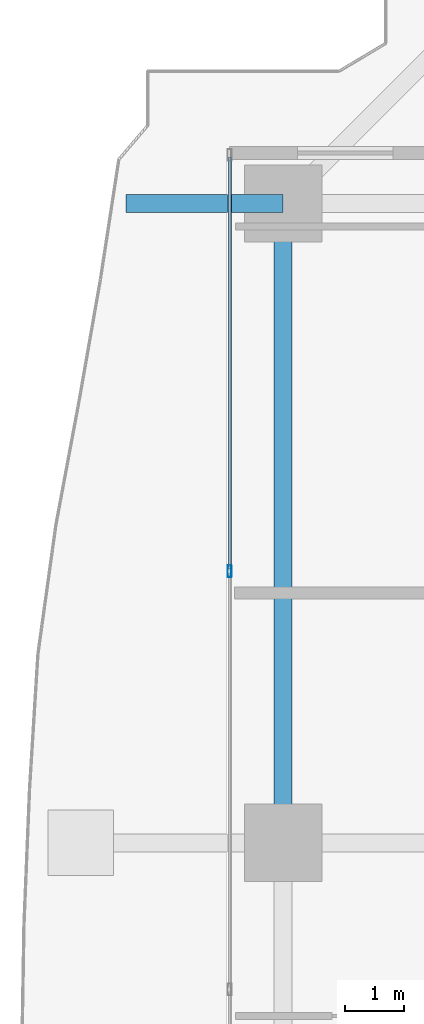
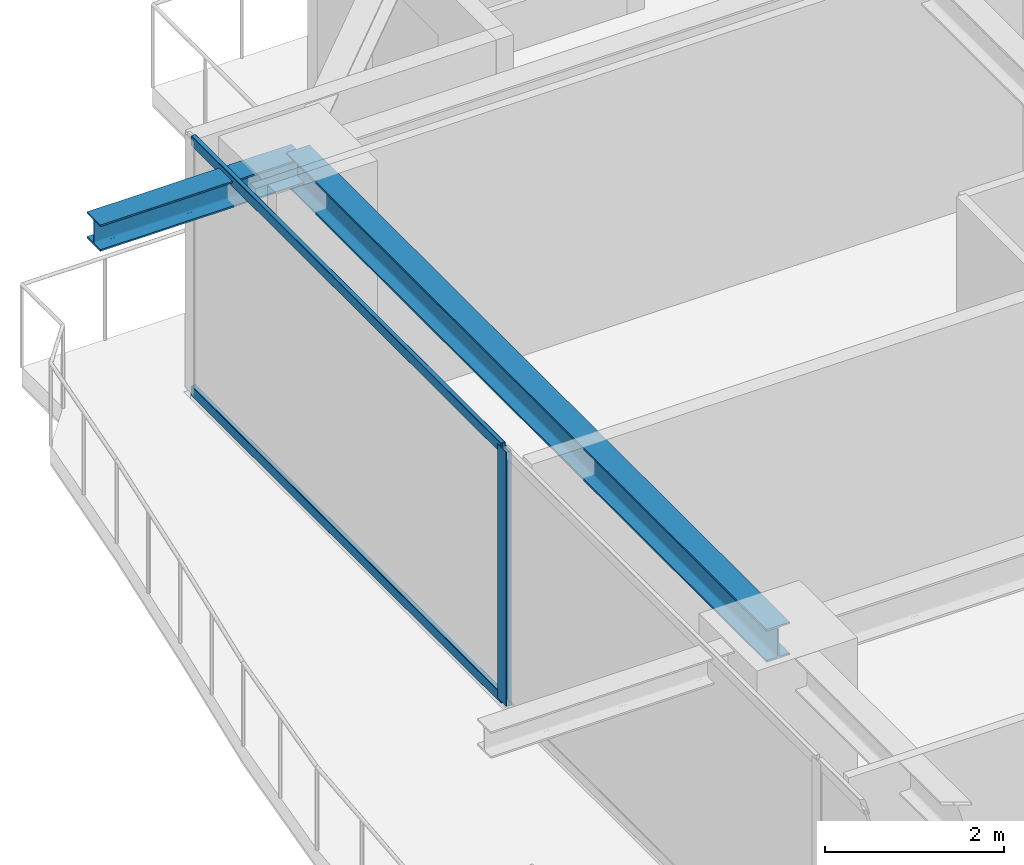
# One storey, part 17 of 38: 3 members, 2 beams, 1 element without a shape of its own.
"""IFC4 building model written with IfcOpenShell, lengths in metres."""

import ifcopenshell
import ifcopenshell.guid

model = None  # the IFC model being written
_history = None  # IfcOwnerHistory: only IFC2X3 demands one
_inside = {}  # id of a spatial element -> (the spatial element, [elements in it])
_under = {}  # id of a project, library or spatial element -> (it, [spatial elements below it])
_declared = {}  # id of a project -> (the project, [libraries it declares])
_typed = {}  # id of a type object -> (the type object, [elements of that type])
_made_of = {}  # id of a material, layer set ... -> (it, [elements and type objects made of it])


def new_model(schema):
    """Start an empty IFC model of exactly this schema.

    Asked for "IFC4X3", IfcOpenShell would pick the latest addendum, in which some entities
    have other attributes; the version numbers below select the first issue.
    IFC2X3 requires an IfcOwnerHistory on every rooted entity: one is made here for all.
    """
    global model, _history
    if schema == "IFC4X3":
        model = ifcopenshell.file(schema_version=(4, 3, 0, 0))
    else:
        model = ifcopenshell.file(schema=schema)
    _inside.clear()
    _under.clear()
    _declared.clear()
    _typed.clear()
    _made_of.clear()
    _history = None
    if model.schema == "IFC2X3":
        org = make("IfcOrganization", Name="unknown")
        user = make(
            "IfcPersonAndOrganization",
            ThePerson=make("IfcPerson", FamilyName="unknown"),
            TheOrganization=org,
        )
        app = make(
            "IfcApplication",
            ApplicationDeveloper=org,
            Version="unknown",
            ApplicationFullName="unknown",
            ApplicationIdentifier="unknown",
        )
        _history = make(
            "IfcOwnerHistory",
            OwningUser=user,
            OwningApplication=app,
            ChangeAction="ADDED",
            CreationDate=0,
        )
    return model


def make(cls, **values):
    """One entity of the class cls with the attributes given. An attribute that is None is left unset."""
    return model.create_entity(
        cls, **{name: value for name, value in values.items() if value is not None}
    )


def rooted(cls, **values):
    """An entity with a GlobalId (a new one), such as an element, a storey or a relation."""
    return make(cls, GlobalId=ifcopenshell.guid.new(), OwnerHistory=_history, **values)


def si_unit(unit_type, name, prefix=None):
    """IfcSIUnit, for example si_unit("LENGTHUNIT", "METRE", prefix="MILLI")."""
    return make("IfcSIUnit", UnitType=unit_type, Prefix=prefix, Name=name)


def assignment(units):
    """IfcUnitAssignment: the units of a project."""
    return None if units is None else make("IfcUnitAssignment", Units=units)


def point(xyz):
    """IfcCartesianPoint."""
    return None if xyz is None else make("IfcCartesianPoint", Coordinates=xyz)


def direction(xyz):
    """IfcDirection."""
    return None if xyz is None else make("IfcDirection", DirectionRatios=xyz)


def frame(location, z_axis=None, x_axis=None):
    """IfcAxis2Placement3D, a coordinate frame: its origin and axes. An axis left out is left unset."""
    return make(
        "IfcAxis2Placement3D",
        Location=point(location),
        Axis=direction(z_axis),
        RefDirection=direction(x_axis),
    )


def frame_2d(location, x_axis=None):
    """IfcAxis2Placement2D, a coordinate frame in the plane: its origin and x axis."""
    return make(
        "IfcAxis2Placement2D", Location=point(location), RefDirection=direction(x_axis)
    )


def origin():
    """The frame at (0, 0, 0) with its axes left unset."""
    return frame((0.0, 0.0, 0.0))


def origin_2d():
    """The frame at (0, 0) in the plane with its x axis left unset."""
    return frame_2d((0.0, 0.0))


def place(relative_to, where):
    """IfcLocalPlacement: puts the frame where relative to a parent placement (None: the world)."""
    return make(
        "IfcLocalPlacement", PlacementRelTo=relative_to, RelativePlacement=where
    )


def context(
    kind, dimensions, precision=None, world=None, true_north=None, identifier=None
):
    """IfcGeometricRepresentationContext, for example the 3D "Model" context."""
    return make(
        "IfcGeometricRepresentationContext",
        ContextIdentifier=identifier,
        ContextType=kind,
        CoordinateSpaceDimension=dimensions,
        Precision=precision,
        WorldCoordinateSystem=world,
        TrueNorth=true_north,
    )


def subcontext(parent, identifier, kind, view, scale=None):
    """IfcGeometricRepresentationSubContext, for example "Body" below "Model"."""
    return make(
        "IfcGeometricRepresentationSubContext",
        ContextIdentifier=identifier,
        ContextType=kind,
        ParentContext=parent,
        TargetScale=scale,
        TargetView=view,
    )


def project(units=None, contexts=None):
    """IfcProject with its units and contexts."""
    return rooted(
        "IfcProject",
        Name="project",
        RepresentationContexts=contexts,
        UnitsInContext=assignment(units),
    )


def spatial(cls, under=None, at=None, **own):
    """A site, building, storey or space (cls), placed at a placement, below another one or the project."""
    s = rooted(cls, ObjectPlacement=at, **own)
    if under is not None:
        _under.setdefault(under.id(), (under, []))[1].append(s)
    return s


def profile(cls, at=None, kind="AREA", **sizes):
    """A parametric profile (cls). Its sizes go by their IFC names, for example OverallWidth=200.0."""
    return make(cls, ProfileType=kind, Position=at, **sizes)


def hollow_rectangle(**sizes):
    """IfcRectangleHollowProfileDef."""
    return profile("IfcRectangleHollowProfileDef", **sizes)


def i_section(**sizes):
    """IfcIShapeProfileDef."""
    return profile("IfcIShapeProfileDef", **sizes)


def extrude(swept, where, along, depth):
    """IfcExtrudedAreaSolid: the profile swept, set in the frame where, extruded along a direction by depth."""
    return make(
        "IfcExtrudedAreaSolid",
        SweptArea=swept,
        Position=where,
        ExtrudedDirection=direction(along),
        Depth=depth,
    )


def shape(context_of_items, identifier, shape_type, items):
    """IfcShapeRepresentation: the items that make up one representation, for example the "Body"."""
    return make(
        "IfcShapeRepresentation",
        ContextOfItems=context_of_items,
        RepresentationIdentifier=identifier,
        RepresentationType=shape_type,
        Items=items,
    )


def source(mapping_origin, context_of_items, identifier, shape_type, items):
    """IfcRepresentationMap: a shape defined once, which mapped items show again and again."""
    return make(
        "IfcRepresentationMap",
        MappingOrigin=mapping_origin,
        MappedRepresentation=shape(context_of_items, identifier, shape_type, items),
    )


def transform(
    local_origin,
    x_axis=None,
    y_axis=None,
    z_axis=None,
    scale=None,
    scale2=None,
    scale3=None,
    uniform=True,
):
    """IfcCartesianTransformationOperator3D, or its non-uniform kind. x_axis, y_axis, z_axis: its Axis1, 2, 3."""
    if uniform:
        return make(
            "IfcCartesianTransformationOperator3D",
            Axis1=direction(x_axis),
            Axis2=direction(y_axis),
            LocalOrigin=point(local_origin),
            Scale=scale,
            Axis3=direction(z_axis),
        )
    return make(
        "IfcCartesianTransformationOperator3DnonUniform",
        Axis1=direction(x_axis),
        Axis2=direction(y_axis),
        LocalOrigin=point(local_origin),
        Scale=scale,
        Axis3=direction(z_axis),
        Scale2=scale2,
        Scale3=scale3,
    )


def mapped(mapping_source, mapping_target):
    """IfcMappedItem: shows the shape of a source again, moved by a transform."""
    return make(
        "IfcMappedItem", MappingSource=mapping_source, MappingTarget=mapping_target
    )


def material(Name=None, Category=None):
    """IfcMaterial."""
    return make("IfcMaterial", Name=Name, Category=Category)


def layer(
    of_material, thickness, ventilated=None, Name=None, Category=None, Priority=None
):
    """IfcMaterialLayer: one layer of a wall or slab, of a material (None: an air gap)."""
    return make(
        "IfcMaterialLayer",
        Material=of_material,
        LayerThickness=thickness,
        IsVentilated=ventilated,
        Name=Name,
        Category=Category,
        Priority=Priority,
    )


def layer_set(layers, Name=None):
    """IfcMaterialLayerSet."""
    return make("IfcMaterialLayerSet", MaterialLayers=layers, LayerSetName=Name)


def material_profile(
    of_material, cross_section, Name=None, Category=None, Priority=None
):
    """IfcMaterialProfile: a cross section and its material."""
    return make(
        "IfcMaterialProfile",
        Name=Name,
        Material=of_material,
        Profile=cross_section,
        Priority=Priority,
        Category=Category,
    )


def profile_set(profiles, Name=None, composite=None):
    """IfcMaterialProfileSet."""
    return make(
        "IfcMaterialProfileSet",
        Name=Name,
        MaterialProfiles=profiles,
        CompositeProfile=composite,
    )


def made_of(thing, what):
    """Note that an element or type object is made of a material, layer set ...; save() writes the relation."""
    if what is not None:
        _made_of.setdefault(what.id(), (what, []))[1].append(thing)
    return thing


def type_object(cls, material=None, **own):
    """A type object (cls), such as IfcWallType, which elements share."""
    return made_of(rooted(cls, **own), material)


def element(
    cls,
    number,
    at=None,
    inside=None,
    cuts=None,
    type_object=None,
    material=None,
    context=None,
    identifier="Body",
    shape_type=None,
    held_by="IfcProductDefinitionShape",
    body=None,
    shapes=None,
    **own,
):
    """One element of the class cls, such as IfcWall. Its Tag is "e" and its number.

    at: its placement. inside: the storey or other place that contains it. cuts: it is an
    opening in that element (IfcRelVoidsElement). A single representation is given by context,
    identifier, shape_type and body (its items); several are given by shapes. held_by: the class
    of the entity that holds the representations. save() writes the other relations.
    """
    e = rooted(cls, Tag="e%d" % number, ObjectPlacement=at, **own)
    if body is not None:
        shapes = [shape(context, identifier, shape_type, body)]
    if shapes is not None:
        e.Representation = make(held_by, Representations=shapes)
    if inside is not None:
        _inside.setdefault(inside.id(), (inside, []))[1].append(e)
    if cuts is not None:
        rooted(
            "IfcRelVoidsElement", RelatingBuildingElement=cuts, RelatedOpeningElement=e
        )
    if type_object is not None:
        _typed.setdefault(type_object.id(), (type_object, []))[1].append(e)
    return made_of(e, material)


def aggregate(whole, parts):
    """IfcRelAggregates: a whole, such as a stair, and the parts it consists of."""
    return rooted("IfcRelAggregates", RelatingObject=whole, RelatedObjects=parts)


def save(model, path):
    """Write the relations noted so far, then the file.

    IfcRelAggregates (storeys below a building ...), IfcRelContainedInSpatialStructure (elements
    in a storey), IfcRelDefinesByType, IfcRelAssociatesMaterial and IfcRelDeclares: one each for
    every whole, place, type object, material and project.
    """
    for whole, parts in _under.values():
        aggregate(whole, parts)
    for where, things in _inside.values():
        rooted(
            "IfcRelContainedInSpatialStructure",
            RelatedElements=things,
            RelatingStructure=where,
        )
    for kind, things in _typed.values():
        rooted("IfcRelDefinesByType", RelatedObjects=things, RelatingType=kind)
    for what, things in _made_of.values():
        rooted("IfcRelAssociatesMaterial", RelatedObjects=things, RelatingMaterial=what)
    for by, libraries in _declared.values():
        rooted("IfcRelDeclares", RelatingContext=by, RelatedDefinitions=libraries)
    model.write(path)


model = new_model("IFC4")

# Units and contexts
model_context = context("Model", 3, precision=1e-05, world=origin(), true_north=direction((0.0, 1.0)))
body_context = subcontext(model_context, "Body", "Model", "MODEL_VIEW")
ifc_project = project(units=[si_unit("LENGTHUNIT", "METRE"), si_unit("AREAUNIT", "SQUARE_METRE"), si_unit("VOLUMEUNIT", "CUBIC_METRE"), si_unit("PLANEANGLEUNIT", "RADIAN"), si_unit("MASSUNIT", "GRAM", prefix="KILO")], contexts=[model_context])

# Site, building, storey
site_placement = place(None, origin())
site = spatial("IfcSite", under=ifc_project, at=site_placement, CompositionType="ELEMENT")
building_placement = place(site_placement, origin())
building = spatial("IfcBuilding", under=site, at=building_placement, Name="Serunith Strait Residences", CompositionType="ELEMENT")
storey_placement = place(building_placement, frame((0.0, 0.0, 183.89990234375)))
storey = spatial("IfcBuildingStorey", under=building, at=storey_placement, Name="L46", CompositionType="ELEMENT", Elevation=183.89990234375)

# Beams
ifc_material_1 = material(Name="Steel S355J2", Category="steel")
ifc_material_profile_1 = material_profile(ifc_material_1, i_section(OverallWidth=0.300048828125, OverallDepth=0.449951171875, WebThickness=0.013916015625, FlangeThickness=0.02587890625, FilletRadius=0.027099609375, at=origin_2d()), Name="HEB 450")
ifc_profile_set_1 = profile_set([ifc_material_profile_1], Name="Steel S355J2")
beam_type_1 = type_object("IfcBeamType", Name="BM-HEB450", PredefinedType="BEAM", material=ifc_profile_set_1)
shared_shape_1 = source(origin(), body_context, "Body", "SweptSolid", [
    extrude(i_section(OverallWidth=0.300048828125, OverallDepth=0.449951171875, WebThickness=0.013916015625, FlangeThickness=0.02587890625, FilletRadius=0.027099609375, at=origin_2d()), origin(), (0.0, 0.0, 1.0), 10.75),
])
beam_1_placement = place(storey_placement, frame((8.699951171875, 40.14990234375, 3.26220703125), z_axis=(0.0, -1.0, 0.0), x_axis=(1.0, 0.0, 0.0)))
element("IfcBeam", 1, at=beam_1_placement, inside=storey, type_object=beam_type_1, Name="L46 Perimeter Ring Beam 13", PredefinedType="BEAM", context=body_context, shape_type="MappedRepresentation", body=[
    mapped(shared_shape_1, transform((0.0, 0.0, 0.0), scale=1.0)),
])
ifc_material_profile_2 = material_profile(ifc_material_1, i_section(OverallWidth=0.300048828125, OverallDepth=0.360107421875, WebThickness=0.012451171875, FlangeThickness=0.0224609375, FilletRadius=0.027099609375, at=origin_2d()), Name="HEB 360")
ifc_profile_set_2 = profile_set([ifc_material_profile_2], Name="Steel S355J2")
beam_type_2 = type_object("IfcBeamType", Name="BM-HEB360", PredefinedType="BEAM", material=ifc_profile_set_2)
shared_shape_2 = source(origin(), body_context, "Body", "SweptSolid", [
    extrude(i_section(OverallWidth=0.300048828125, OverallDepth=0.360107421875, WebThickness=0.012451171875, FlangeThickness=0.0224609375, FilletRadius=0.027099609375, at=origin_2d()), origin(), (0.0, 0.0, 1.0), 2.63916015625),
])
beam_2_placement = place(storey_placement, frame((8.699951171875, 40.14990234375, 3.277099609375), z_axis=(-1.0, 0.0, 0.0), x_axis=(0.0, -1.0, 0.0)))
element("IfcBeam", 2, at=beam_2_placement, inside=storey, type_object=beam_type_2, Name="L47 Cantilevered Balcony Rib TC-W4", PredefinedType="BEAM", context=body_context, shape_type="MappedRepresentation", body=[
    mapped(shared_shape_2, transform((0.0, 0.0, 0.0), scale=1.0)),
])

# Curtain wall, members
ifc_material_2 = material(Name="Pale-Champagne Anodised Aluminium", Category="aluminium")
ifc_layer = layer(ifc_material_2, 0.199951171875, Name="Pale-Champagne Anodised Aluminium")
ifc_layer_set = layer_set([ifc_layer], Name="Pale-Champagne Anodised Aluminium")
curtain_wall_type = type_object("IfcCurtainWallType", Name="CW-SYS2", PredefinedType="NOTDEFINED", material=ifc_layer_set)
curtain_wall_placement = place(storey_placement, origin())
curtain_wall = element("IfcCurtainWall", 3, at=curtain_wall_placement, inside=storey, type_object=curtain_wall_type, Name="L46 W Unitised Fritted Curtain Wall", PredefinedType="NOTDEFINED")
ifc_material_profile_3 = material_profile(ifc_material_2, hollow_rectangle(XDim=0.070068359375, YDim=0.199951171875, WallThickness=0.00390625, InnerFilletRadius=0.006103515625, OuterFilletRadius=0.010009765625, at=origin_2d()), Name="ALU 200x70x4")
ifc_profile_set_3 = profile_set([ifc_material_profile_3], Name="Pale-Champagne Anodised Aluminium")
member_type_1 = type_object("IfcMemberType", Name="CW-SYS2-MULL", PredefinedType="MULLION", material=ifc_profile_set_3)
shared_shape_3 = source(origin(), body_context, "Body", "SweptSolid", [
    extrude(hollow_rectangle(XDim=0.070068359375, YDim=0.199951171875, WallThickness=0.00390625, InnerFilletRadius=0.006103515625, OuterFilletRadius=0.010009765625, at=origin_2d()), origin(), (0.0, 0.0, 1.0), 3.47509765625),
])
member_1_placement = place(storey_placement, frame((7.800048828125, 33.966552734375, 0.0), z_axis=(0.0, 0.0, 1.0), x_axis=(1.0, 0.0, 0.0)))
member_1 = element("IfcMember", 4, at=member_1_placement, type_object=member_type_1, Name="CW-2 mullion 2", PredefinedType="MULLION", context=body_context, shape_type="MappedRepresentation", body=[
    mapped(shared_shape_3, transform((0.0, 0.0, 0.0), scale=1.0)),
])
ifc_material_profile_4 = material_profile(ifc_material_2, hollow_rectangle(XDim=0.06005859375, YDim=0.139892578125, WallThickness=0.00341796875, InnerFilletRadius=0.00537109375, OuterFilletRadius=0.0087890625, at=origin_2d()), Name="ALU 140x60x3.5")
ifc_profile_set_4 = profile_set([ifc_material_profile_4], Name="Pale-Champagne Anodised Aluminium")
member_type_2 = type_object("IfcMemberType", Name="CW-SYS2-TRAN", PredefinedType="USERDEFINED", material=ifc_profile_set_4)
shared_shape_4 = source(origin(), body_context, "Body", "SweptSolid", [
    extrude(hollow_rectangle(XDim=0.06005859375, YDim=0.139892578125, WallThickness=0.00341796875, InnerFilletRadius=0.00537109375, OuterFilletRadius=0.0087890625, at=origin_2d()), origin(), (0.0, 0.0, 1.0), 6.92822265625),
])
member_2_placement = place(storey_placement, frame((7.800048828125, 40.929931640625, 0.030029296875), z_axis=(0.0, -1.0, 0.0), x_axis=(1.0, 0.0, 0.0)))
member_2 = element("IfcMember", 5, at=member_2_placement, type_object=member_type_2, Name="CW-2 transom 1.1", ObjectType="TRANSOM", PredefinedType="USERDEFINED", context=body_context, shape_type="MappedRepresentation", body=[
    mapped(shared_shape_4, transform((0.0, 0.0, 0.0), scale=1.0)),
])
member_3_placement = place(storey_placement, frame((7.800048828125, 40.929931640625, 3.445068359375), z_axis=(0.0, -1.0, 0.0), x_axis=(1.0, 0.0, 0.0)))
member_3 = element("IfcMember", 6, at=member_3_placement, type_object=member_type_2, Name="CW-2 transom 1.2", ObjectType="TRANSOM", PredefinedType="USERDEFINED", context=body_context, shape_type="MappedRepresentation", body=[
    mapped(shared_shape_4, transform((0.0, 0.0, 0.0), scale=1.0)),
])
aggregate(curtain_wall, [member_1, member_2, member_3])

save(model, "model.ifc")
